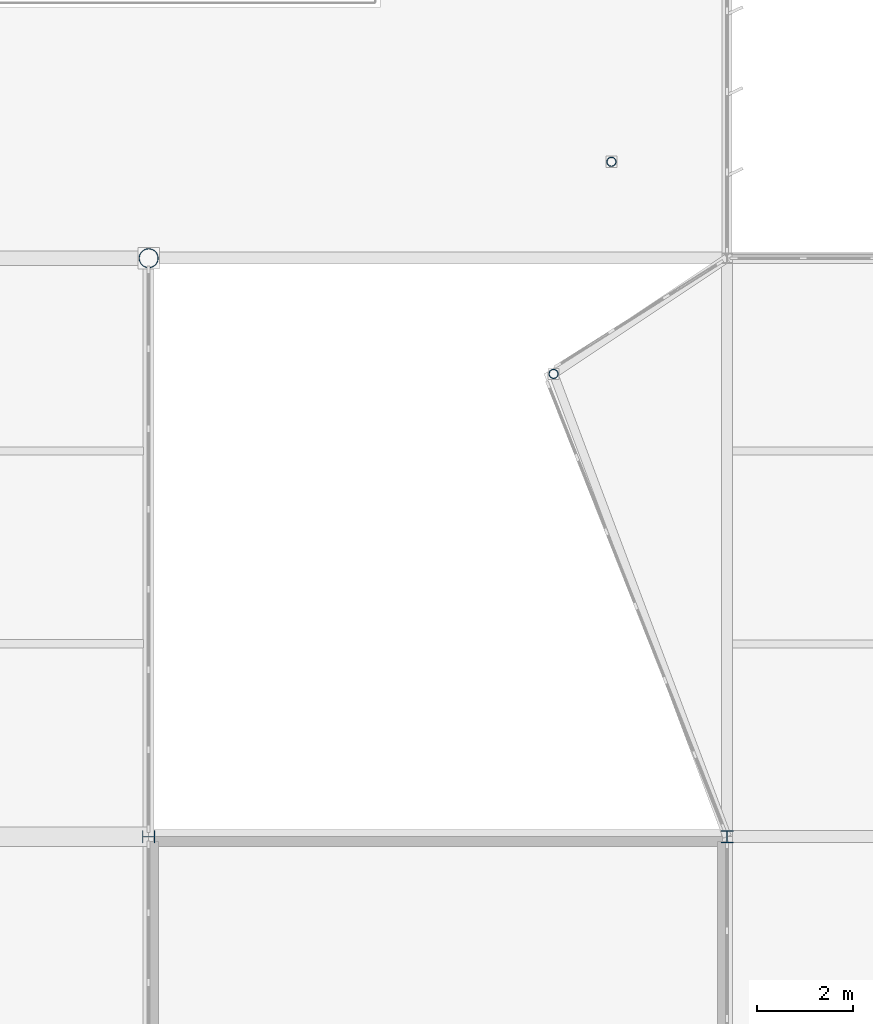
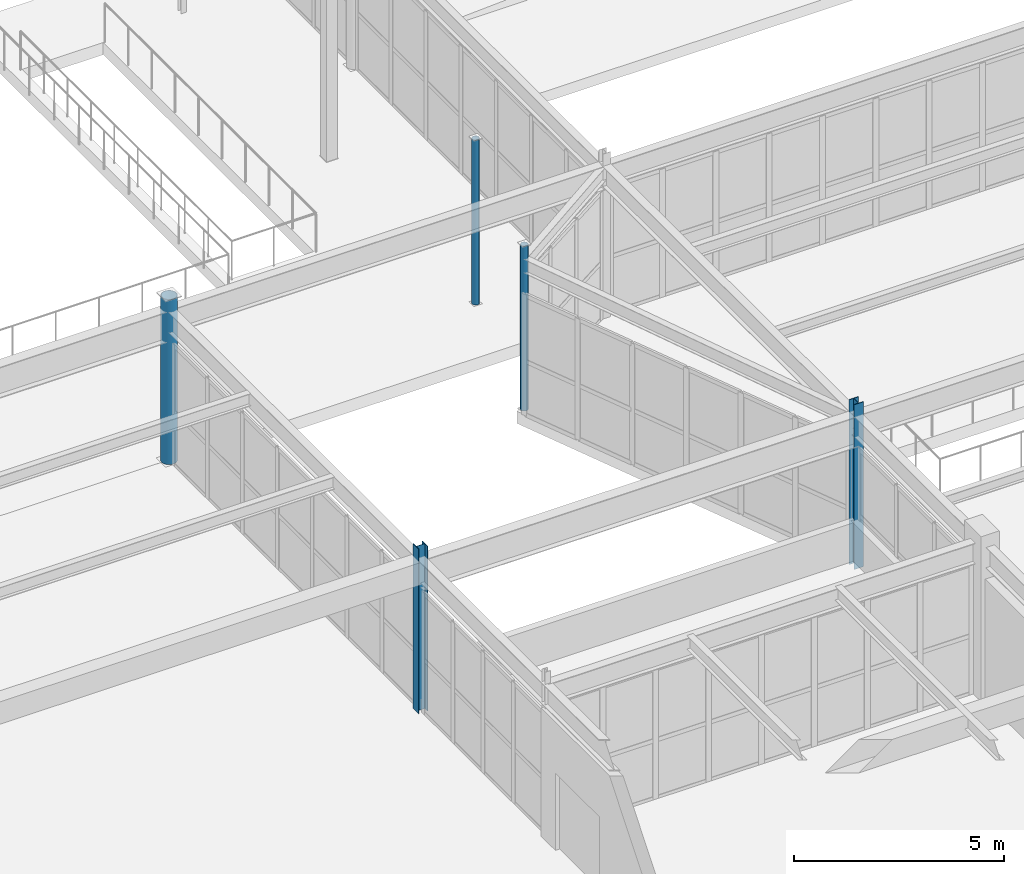
# One storey, part 44 of 226: 5 columns.
"""IFC4 building model written with IfcOpenShell, lengths in metres."""

from ifc_helpers import new_model, si_unit, direction, frame, origin, origin_2d, place, context, subcontext, project, spatial, hollow_circle, i_section, extrude, material, material_profile, profile_set, type_object, element, save


model = new_model("IFC4")

# Units and contexts
model_context = context("Model", 3, precision=1e-05, world=origin(), true_north=direction((0.0, 1.0)))
body_context = subcontext(model_context, "Body", "Model", "MODEL_VIEW")
ifc_project = project(units=[si_unit("LENGTHUNIT", "METRE"), si_unit("AREAUNIT", "SQUARE_METRE"), si_unit("VOLUMEUNIT", "CUBIC_METRE"), si_unit("PLANEANGLEUNIT", "RADIAN"), si_unit("MASSUNIT", "GRAM", prefix="KILO")], contexts=[model_context])

# Site, building, storey
site_placement = place(None, origin())
site = spatial("IfcSite", under=ifc_project, at=site_placement, CompositionType="ELEMENT")
building_placement = place(site_placement, origin())
building = spatial("IfcBuilding", under=site, at=building_placement, Name="Tarnwether General Hospital", CompositionType="ELEMENT")
storey_placement = place(building_placement, frame((0.0, 0.0, 4.800048828125)))
storey = spatial("IfcBuildingStorey", under=building, at=storey_placement, Name="L01", CompositionType="ELEMENT", Elevation=4.800048828125)

# Columns
ifc_material_1 = material(Name="Steel Grade 350 (350 MPa)", Category="steel")
ifc_material_profile_1 = material_profile(ifc_material_1, i_section(OverallWidth=0.256103515625, OverallDepth=0.260009765625, WebThickness=0.010498046875, FlangeThickness=0.017333984375, at=origin_2d()), Name="250UC89.5")
ifc_profile_set_1 = profile_set([ifc_material_profile_1], Name="Steel Grade 350 (350 MPa)")
column_type_1 = type_object("IfcColumnType", Name="COL-09", PredefinedType="COLUMN", material=ifc_profile_set_1)
column_1_placement = place(storey_placement, frame((132.0, 33.60009765625, 0.0), z_axis=(0.0, 0.0, 1.0), x_axis=(0.0, 1.0, 0.0)))
element("IfcColumn", 1, at=column_1_placement, inside=storey, type_object=column_type_1, Name="Column COLG-L01-13200_3360", PredefinedType="COLUMN", context=body_context, shape_type="SweptSolid", body=[
    extrude(i_section(OverallWidth=0.256103515625, OverallDepth=0.260009765625, WebThickness=0.010498046875, FlangeThickness=0.017333984375, at=origin_2d()), origin(), (0.0, 0.0, 1.0), 4.800048828125),
])
ifc_material_2 = material(Name="Steel Grade C350L0 (350 MPa)", Category="steel")
ifc_material_profile_2 = material_profile(ifc_material_2, hollow_circle(Radius=0.203125, WallThickness=0.01611328125, at=origin_2d()), Name="CHS406.4x16.0")
ifc_profile_set_2 = profile_set([ifc_material_profile_2], Name="Steel Grade C350L0 (350 MPa)")
column_type_2 = type_object("IfcColumnType", Name="COL-10", PredefinedType="COLUMN", material=ifc_profile_set_2)
column_2_placement = place(storey_placement, frame((132.0, 45.60009765625, 0.0), z_axis=(0.0, 0.0, 1.0), x_axis=(0.0, 1.0, 0.0)))
element("IfcColumn", 2, at=column_2_placement, inside=storey, type_object=column_type_2, Name="Column COLG-L01-13200_4560", PredefinedType="COLUMN", context=body_context, shape_type="SweptSolid", body=[
    extrude(hollow_circle(Radius=0.203125, WallThickness=0.01611328125, at=origin_2d()), origin(), (0.0, 0.0, 1.0), 4.800048828125),
])
ifc_material_3 = material(Name="Steel Grade 350 (350 MPa)", Category="steel")
ifc_material_profile_3 = material_profile(ifc_material_3, i_section(OverallWidth=0.25390625, OverallDepth=0.25390625, WebThickness=0.008544921875, FlangeThickness=0.01416015625, at=origin_2d()), Name="250UC72.9")
ifc_profile_set_3 = profile_set([ifc_material_profile_3], Name="Steel Grade 350 (350 MPa)")
column_type_3 = type_object("IfcColumnType", Name="COL-24", PredefinedType="COLUMN", material=ifc_profile_set_3)
column_3_placement = place(storey_placement, frame((144.0, 33.60009765625, 0.0), z_axis=(0.0, 0.0, 1.0), x_axis=(1.0, 0.0, 0.0)))
element("IfcColumn", 3, at=column_3_placement, inside=storey, type_object=column_type_3, Name="Column COLG-L01-14400_3360", PredefinedType="COLUMN", context=body_context, shape_type="SweptSolid", body=[
    extrude(i_section(OverallWidth=0.25390625, OverallDepth=0.25390625, WebThickness=0.008544921875, FlangeThickness=0.01416015625, at=origin_2d()), origin(), (0.0, 0.0, 1.0), 4.800048828125),
])
ifc_material_4 = material(Name="Steel Grade C350L0 (350 MPa)", Category="steel")
ifc_material_profile_4 = material_profile(ifc_material_4, hollow_circle(Radius=0.096923828125, WallThickness=0.008056640625, at=origin_2d()), Name="CHS193.7x8.0")
ifc_profile_set_4 = profile_set([ifc_material_profile_4], Name="Steel Grade C350L0 (350 MPa)")
column_type_4 = type_object("IfcColumnType", Name="COL-29", PredefinedType="COLUMN", material=ifc_profile_set_4)
for number, where, z_axis, x_axis, name in (
    (4, (141.60009765625, 47.60009765625, 0.0), (0.0, 0.0, 1.0), (1.0, 0.0, 0.0), "Column COLG-L01-14160_4760"),
    (5, (140.39990234375, 43.199951171875, 0.0), (0.0, 0.0, 1.0), (0.913545457643, 0.406736643076, 0.0), "Column COLG-L01-14040_4320"),
):
    element("IfcColumn", number, at=place(storey_placement, frame(where, z_axis=z_axis, x_axis=x_axis)), inside=storey, type_object=column_type_4, Name=name, PredefinedType="COLUMN", context=body_context, shape_type="SweptSolid", body=[
        extrude(hollow_circle(Radius=0.096923828125, WallThickness=0.008056640625, at=origin_2d()), origin(), (0.0, 0.0, 1.0), 4.800048828125),
    ])

save(model, "model.ifc")
